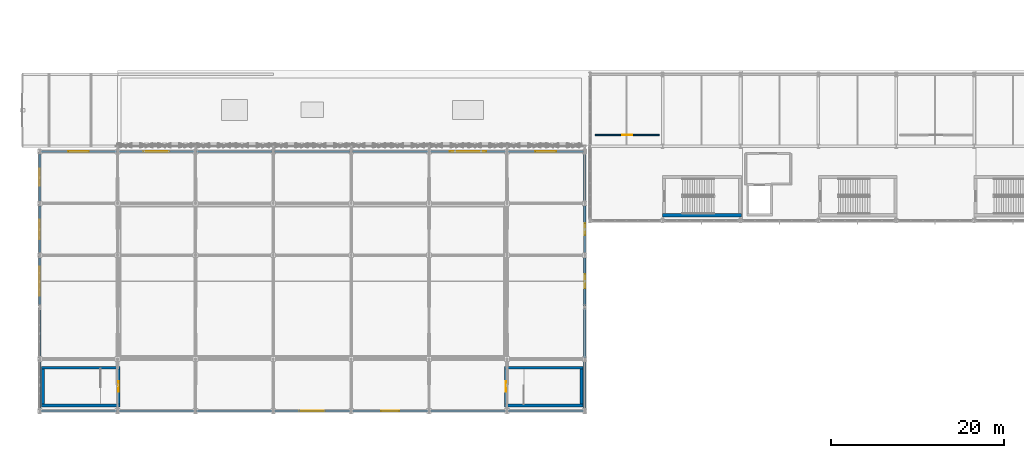
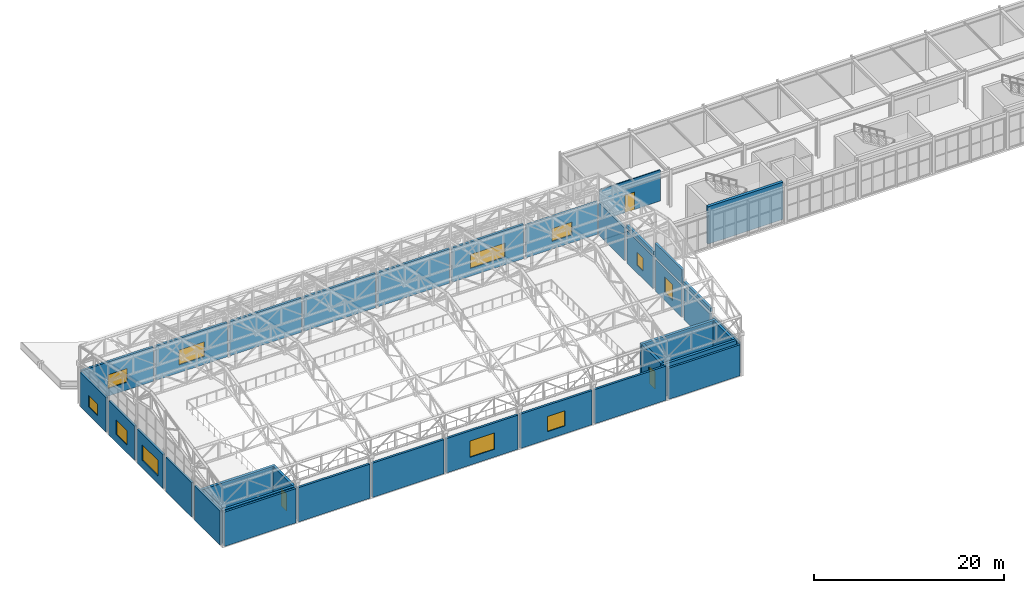
# One storey, part 94 of 112: 37 walls, 11 windows, 3 doors, 14 openings.
"""IFC4 building model written with IfcOpenShell, lengths in metres."""

from ifc_helpers import new_model, si_unit, direction, frame, frame_2d, origin, place, context, subcontext, project, spatial, rectangle, extrude, material, layer, layer_set, type_object, element, fill, save


model = new_model("IFC4")

# Units and contexts
model_context = context("Model", 3, precision=1e-05, world=origin(), true_north=direction((0.0, 1.0)))
body_context = subcontext(model_context, "Body", "Model", "MODEL_VIEW")
ifc_project = project(units=[si_unit("LENGTHUNIT", "METRE"), si_unit("AREAUNIT", "SQUARE_METRE"), si_unit("VOLUMEUNIT", "CUBIC_METRE"), si_unit("PLANEANGLEUNIT", "RADIAN"), si_unit("MASSUNIT", "GRAM", prefix="KILO")], contexts=[model_context])

# Site, building, storey
site_placement = place(None, origin())
site = spatial("IfcSite", under=ifc_project, at=site_placement, CompositionType="ELEMENT")
building_placement = place(site_placement, origin())
building = spatial("IfcBuilding", under=site, at=building_placement, Name="Kaldris Quays Convention Centre", CompositionType="ELEMENT")
storey_placement = place(building_placement, frame((0.0, 0.0, 16.800048828125)))
storey = spatial("IfcBuildingStorey", under=building, at=storey_placement, Name="L03", CompositionType="ELEMENT", Elevation=16.800048828125)

# Wall
ifc_material_1 = material(Name="Precast concrete C40/50", Category="concrete")
ifc_layer_1 = layer(ifc_material_1, 0.263916015625)
ifc_layer_set_1 = layer_set([ifc_layer_1], Name="Precast concrete C40/50")
wall_type_1 = type_object("IfcWallType", Name="EXTERIOR WALL EW04", PredefinedType="STANDARD", material=ifc_layer_set_1)
wall_1_placement = place(storey_placement, frame((20.14599609375, 16.0, 0.0), z_axis=(0.0, 0.0, 1.0), x_axis=(1.0, 0.0, 0.0)))
element("IfcWall", 1, at=wall_1_placement, inside=storey, type_object=wall_type_1, Name="L03 Exterior Wall EW04 190", PredefinedType="STANDARD", context=body_context, shape_type="SweptSolid", body=[
    extrude(rectangle(XDim=8.7080078125, YDim=0.263916015625, at=frame_2d((4.35400390625, 0.0))), origin(), (0.0, 0.0, 1.0), 4.39990234375),
])

# Wall, opening, window
wall_2_placement = place(storey_placement, frame((20.14599609375, 46.0, 0.0), z_axis=(0.0, 0.0, 1.0), x_axis=(1.0, 0.0, 0.0)))
wall_2 = element("IfcWall", 2, at=wall_2_placement, inside=storey, type_object=wall_type_1, Name="L03 Exterior Wall EW04 191", PredefinedType="STANDARD", context=body_context, shape_type="SweptSolid", body=[
    extrude(rectangle(XDim=8.7080078125, YDim=0.263916015625, at=frame_2d((4.35400390625, 0.0))), origin(), (0.0, 0.0, 1.0), 4.39990234375),
])
opening_1_placement = place(wall_2_placement, frame((3.178955078125, 0.0, 1.0)))
opening_1 = element("IfcOpeningElement", 3, at=opening_1_placement, cuts=wall_2, Name="Opening WN31", PredefinedType="OPENING", context=body_context, shape_type="SweptSolid", body=[
    extrude(rectangle(XDim=2.35009765625, YDim=1.75, at=frame_2d((1.175048828125, 0.875))), frame((0.0, 0.14208984375, 0.0), z_axis=(0.0, -1.0, 0.0), x_axis=(1.0, 0.0, 0.0)), (0.0, 0.0, 1.0), 0.283935546875),
])
ifc_material_2 = material(Name="Triple low-E insulated glazing", Category="glass")
window_type_1 = type_object("IfcWindowType", Name="TRIPLE GLAZED WINDOW WN31", PartitioningType="SINGLE_PANEL", PredefinedType="WINDOW", material=ifc_material_2)
window_1_placement = place(opening_1_placement, origin())
window_1 = element("IfcWindow", 4, at=window_1_placement, inside=storey, type_object=window_type_1, Name="L03 Exterior Window WN31 71", OverallHeight=1.75, OverallWidth=2.35009765625, PartitioningType="SINGLE_PANEL", PredefinedType="WINDOW", context=body_context, shape_type="SweptSolid", body=[
    extrude(rectangle(XDim=2.35009765625, YDim=1.75, at=frame_2d((1.175048828125, 0.875))), frame((0.0, 0.030029296875, 0.0), z_axis=(0.0, -1.0, 0.0), x_axis=(1.0, 0.0, 0.0)), (0.0, 0.0, 1.0), 0.06005859375),
])
fill(opening_1, window_1)

# Wall
wall_3_placement = place(storey_placement, frame((29.14599609375, 16.0, 0.0), z_axis=(0.0, 0.0, 1.0), x_axis=(1.0, 0.0, 0.0)))
element("IfcWall", 5, at=wall_3_placement, inside=storey, type_object=wall_type_1, Name="L03 Exterior Wall EW04 192", PredefinedType="STANDARD", context=body_context, shape_type="SweptSolid", body=[
    extrude(rectangle(XDim=8.7080078125, YDim=0.263916015625, at=frame_2d((4.35400390625, 0.0))), origin(), (0.0, 0.0, 1.0), 4.39990234375),
])

# Wall, opening, window
wall_4_placement = place(storey_placement, frame((29.14599609375, 46.0, 0.0), z_axis=(0.0, 0.0, 1.0), x_axis=(1.0, 0.0, 0.0)))
wall_4 = element("IfcWall", 6, at=wall_4_placement, inside=storey, type_object=wall_type_1, Name="L03 Exterior Wall EW04 193", PredefinedType="STANDARD", context=body_context, shape_type="SweptSolid", body=[
    extrude(rectangle(XDim=8.7080078125, YDim=0.263916015625, at=frame_2d((4.35400390625, 0.0))), origin(), (0.0, 0.0, 1.0), 4.39990234375),
])
opening_2_placement = place(wall_4_placement, frame((2.803955078125, 0.0, 1.0)))
opening_2 = element("IfcOpeningElement", 7, at=opening_2_placement, cuts=wall_4, Name="Opening WN33", PredefinedType="OPENING", context=body_context, shape_type="SweptSolid", body=[
    extrude(rectangle(XDim=3.10009765625, YDim=1.89990234375, at=frame_2d((1.550048828125, 0.949951171875))), frame((0.0, 0.14208984375, 0.0), z_axis=(0.0, -1.0, 0.0), x_axis=(1.0, 0.0, 0.0)), (0.0, 0.0, 1.0), 0.283935546875),
])
window_type_2 = type_object("IfcWindowType", Name="TRIPLE GLAZED WINDOW WN33", PartitioningType="SINGLE_PANEL", PredefinedType="WINDOW", material=ifc_material_2)
window_2_placement = place(opening_2_placement, origin())
window_2 = element("IfcWindow", 8, at=window_2_placement, inside=storey, type_object=window_type_2, Name="L03 Exterior Window WN33 72", OverallHeight=1.89990234375, OverallWidth=3.10009765625, PartitioningType="SINGLE_PANEL", PredefinedType="WINDOW", context=body_context, shape_type="SweptSolid", body=[
    extrude(rectangle(XDim=3.10009765625, YDim=1.89990234375, at=frame_2d((1.550048828125, 0.949951171875))), frame((0.0, 0.030029296875, 0.0), z_axis=(0.0, -1.0, 0.0), x_axis=(1.0, 0.0, 0.0)), (0.0, 0.0, 1.0), 0.06005859375),
])
fill(opening_2, window_2)

# Walls
for number, where, z_axis, x_axis, name in (
    (9, (38.14599609375, 16.0, 0.0), (0.0, 0.0, 1.0), (1.0, 0.0, 0.0), "L03 Exterior Wall EW04 194"),
    (10, (38.14599609375, 46.0, 0.0), (0.0, 0.0, 1.0), (1.0, 0.0, 0.0), "L03 Exterior Wall EW04 195"),
):
    element("IfcWall", number, at=place(storey_placement, frame(where, z_axis=z_axis, x_axis=x_axis)), inside=storey, type_object=wall_type_1, Name=name, PredefinedType="STANDARD", context=body_context, shape_type="SweptSolid", body=[
        extrude(rectangle(XDim=8.7080078125, YDim=0.263916015625, at=frame_2d((4.35400390625, 0.0))), origin(), (0.0, 0.0, 1.0), 4.39990234375),
    ])

# Wall, opening, window
wall_5_placement = place(storey_placement, frame((47.14599609375, 16.0, 0.0), z_axis=(0.0, 0.0, 1.0), x_axis=(1.0, 0.0, 0.0)))
wall_5 = element("IfcWall", 11, at=wall_5_placement, inside=storey, type_object=wall_type_1, Name="L03 Exterior Wall EW04 196", PredefinedType="STANDARD", context=body_context, shape_type="SweptSolid", body=[
    extrude(rectangle(XDim=8.7080078125, YDim=0.263916015625, at=frame_2d((4.35400390625, 0.0))), origin(), (0.0, 0.0, 1.0), 4.39990234375),
])
opening_3_placement = place(wall_5_placement, frame((2.85400390625, 0.0, 1.0)))
opening_3 = element("IfcOpeningElement", 12, at=opening_3_placement, cuts=wall_5, Name="Opening WN02", PredefinedType="OPENING", context=body_context, shape_type="SweptSolid", body=[
    extrude(rectangle(XDim=3.0, YDim=2.10009765625, at=frame_2d((1.5, 1.050048828125))), frame((0.0, 0.14208984375, 0.0), z_axis=(0.0, -1.0, 0.0), x_axis=(1.0, 0.0, 0.0)), (0.0, 0.0, 1.0), 0.283935546875),
])
window_type_3 = type_object("IfcWindowType", Name="TRIPLE GLAZED WINDOW WN02", PartitioningType="SINGLE_PANEL", PredefinedType="WINDOW", material=ifc_material_2)
window_3_placement = place(opening_3_placement, origin())
window_3 = element("IfcWindow", 13, at=window_3_placement, inside=storey, type_object=window_type_3, Name="L03 Exterior Window WN02 73", OverallHeight=2.10009765625, OverallWidth=3.0, PartitioningType="SINGLE_PANEL", PredefinedType="WINDOW", context=body_context, shape_type="SweptSolid", body=[
    extrude(rectangle(XDim=3.0, YDim=2.10009765625, at=frame_2d((1.5, 1.050048828125))), frame((0.0, 0.030029296875, 0.0), z_axis=(0.0, -1.0, 0.0), x_axis=(1.0, 0.0, 0.0)), (0.0, 0.0, 1.0), 0.06005859375),
])
fill(opening_3, window_3)

# Wall
wall_6_placement = place(storey_placement, frame((47.14599609375, 46.0, 0.0), z_axis=(0.0, 0.0, 1.0), x_axis=(1.0, 0.0, 0.0)))
element("IfcWall", 14, at=wall_6_placement, inside=storey, type_object=wall_type_1, Name="L03 Exterior Wall EW04 197", PredefinedType="STANDARD", context=body_context, shape_type="SweptSolid", body=[
    extrude(rectangle(XDim=8.7080078125, YDim=0.263916015625, at=frame_2d((4.35400390625, 0.0))), origin(), (0.0, 0.0, 1.0), 4.39990234375),
])

# Wall, opening, window
wall_7_placement = place(storey_placement, frame((56.14599609375, 16.0, 0.0), z_axis=(0.0, 0.0, 1.0), x_axis=(1.0, 0.0, 0.0)))
wall_7 = element("IfcWall", 15, at=wall_7_placement, inside=storey, type_object=wall_type_1, Name="L03 Exterior Wall EW04 198", PredefinedType="STANDARD", context=body_context, shape_type="SweptSolid", body=[
    extrude(rectangle(XDim=8.7080078125, YDim=0.263916015625, at=frame_2d((4.35400390625, 0.0))), origin(), (0.0, 0.0, 1.0), 4.39990234375),
])
opening_4_placement = place(wall_7_placement, frame((3.303955078125, 0.0, 1.0)))
opening_4 = element("IfcOpeningElement", 16, at=opening_4_placement, cuts=wall_7, Name="Opening WN04", PredefinedType="OPENING", context=body_context, shape_type="SweptSolid", body=[
    extrude(rectangle(XDim=2.10009765625, YDim=1.949951171875, at=frame_2d((1.050048828125, 0.97509765625))), frame((0.0, 0.14208984375, 0.0), z_axis=(0.0, -1.0, 0.0), x_axis=(1.0, 0.0, 0.0)), (0.0, 0.0, 1.0), 0.283935546875),
])
window_type_4 = type_object("IfcWindowType", Name="TRIPLE GLAZED WINDOW WN04", PartitioningType="SINGLE_PANEL", PredefinedType="WINDOW", material=ifc_material_2)
window_4_placement = place(opening_4_placement, origin())
window_4 = element("IfcWindow", 17, at=window_4_placement, inside=storey, type_object=window_type_4, Name="L03 Exterior Window WN04 74", OverallHeight=1.949951171875, OverallWidth=2.10009765625, PartitioningType="SINGLE_PANEL", PredefinedType="WINDOW", context=body_context, shape_type="SweptSolid", body=[
    extrude(rectangle(XDim=2.10009765625, YDim=1.949951171875, at=frame_2d((1.050048828125, 0.97509765625))), frame((0.0, 0.030029296875, 0.0), z_axis=(0.0, -1.0, 0.0), x_axis=(1.0, 0.0, 0.0)), (0.0, 0.0, 1.0), 0.06005859375),
])
fill(opening_4, window_4)

# Walls
for number, where, z_axis, x_axis, name in (
    (18, (56.14599609375, 46.0, 0.0), (0.0, 0.0, 1.0), (1.0, 0.0, 0.0), "L03 Exterior Wall EW04 199"),
    (19, (65.14599609375, 16.0, 0.0), (0.0, 0.0, 1.0), (1.0, 0.0, 0.0), "L03 Exterior Wall EW04 200"),
):
    element("IfcWall", number, at=place(storey_placement, frame(where, z_axis=z_axis, x_axis=x_axis)), inside=storey, type_object=wall_type_1, Name=name, PredefinedType="STANDARD", context=body_context, shape_type="SweptSolid", body=[
        extrude(rectangle(XDim=8.7080078125, YDim=0.263916015625, at=frame_2d((4.35400390625, 0.0))), origin(), (0.0, 0.0, 1.0), 4.39990234375),
    ])

# Wall, opening, window
wall_8_placement = place(storey_placement, frame((65.14599609375, 46.0, 0.0), z_axis=(0.0, 0.0, 1.0), x_axis=(1.0, 0.0, 0.0)))
wall_8 = element("IfcWall", 20, at=wall_8_placement, inside=storey, type_object=wall_type_1, Name="L03 Exterior Wall EW04 201", PredefinedType="STANDARD", context=body_context, shape_type="SweptSolid", body=[
    extrude(rectangle(XDim=8.7080078125, YDim=0.263916015625, at=frame_2d((4.35400390625, 0.0))), origin(), (0.0, 0.0, 1.0), 4.39990234375),
])
opening_5_placement = place(wall_8_placement, frame((2.25390625, 0.0, 1.0)))
opening_5 = element("IfcOpeningElement", 21, at=opening_5_placement, cuts=wall_8, Name="Opening WN07", PredefinedType="OPENING", context=body_context, shape_type="SweptSolid", body=[
    extrude(rectangle(XDim=4.199951171875, YDim=1.800048828125, at=frame_2d((2.10009765625, 0.89990234375))), frame((0.0, 0.14208984375, 0.0), z_axis=(0.0, -1.0, 0.0), x_axis=(1.0, 0.0, 0.0)), (0.0, 0.0, 1.0), 0.283935546875),
])
window_type_5 = type_object("IfcWindowType", Name="TRIPLE GLAZED WINDOW WN07", PartitioningType="SINGLE_PANEL", PredefinedType="WINDOW", material=ifc_material_2)
window_5_placement = place(opening_5_placement, origin())
window_5 = element("IfcWindow", 22, at=window_5_placement, inside=storey, type_object=window_type_5, Name="L03 Exterior Window WN07 75", OverallHeight=1.800048828125, OverallWidth=4.199951171875, PartitioningType="SINGLE_PANEL", PredefinedType="WINDOW", context=body_context, shape_type="SweptSolid", body=[
    extrude(rectangle(XDim=4.199951171875, YDim=1.800048828125, at=frame_2d((2.10009765625, 0.89990234375))), frame((0.0, 0.030029296875, 0.0), z_axis=(0.0, -1.0, 0.0), x_axis=(1.0, 0.0, 0.0)), (0.0, 0.0, 1.0), 0.06005859375),
])
fill(opening_5, window_5)

# Wall
wall_9_placement = place(storey_placement, frame((74.14599609375, 16.0, 0.0), z_axis=(0.0, 0.0, 1.0), x_axis=(1.0, 0.0, 0.0)))
element("IfcWall", 23, at=wall_9_placement, inside=storey, type_object=wall_type_1, Name="L03 Exterior Wall EW04 202", PredefinedType="STANDARD", context=body_context, shape_type="SweptSolid", body=[
    extrude(rectangle(XDim=8.7080078125, YDim=0.263916015625, at=frame_2d((4.35400390625, 0.0))), origin(), (0.0, 0.0, 1.0), 3.98486328125),
])

# Wall, opening, window
wall_10_placement = place(storey_placement, frame((74.14599609375, 46.0, 0.0), z_axis=(0.0, 0.0, 1.0), x_axis=(1.0, 0.0, 0.0)))
wall_10 = element("IfcWall", 24, at=wall_10_placement, inside=storey, type_object=wall_type_1, Name="L03 Exterior Wall EW04 203", PredefinedType="STANDARD", context=body_context, shape_type="SweptSolid", body=[
    extrude(rectangle(XDim=8.7080078125, YDim=0.263916015625, at=frame_2d((4.35400390625, 0.0))), origin(), (0.0, 0.0, 1.0), 4.155029296875),
])
opening_6_placement = place(wall_10_placement, frame((3.154052734375, 0.0, 1.0)))
opening_6 = element("IfcOpeningElement", 25, at=opening_6_placement, cuts=wall_10, Name="Opening WN09", PredefinedType="OPENING", context=body_context, shape_type="SweptSolid", body=[
    extrude(rectangle(XDim=2.39990234375, YDim=1.64990234375, at=frame_2d((1.199951171875, 0.824951171875))), frame((0.0, 0.14208984375, 0.0), z_axis=(0.0, -1.0, 0.0), x_axis=(1.0, 0.0, 0.0)), (0.0, 0.0, 1.0), 0.283935546875),
])
window_type_6 = type_object("IfcWindowType", Name="TRIPLE GLAZED WINDOW WN09", PartitioningType="SINGLE_PANEL", PredefinedType="WINDOW", material=ifc_material_2)
window_6_placement = place(opening_6_placement, origin())
window_6 = element("IfcWindow", 26, at=window_6_placement, inside=storey, type_object=window_type_6, Name="L03 Exterior Window WN09 76", OverallHeight=1.64990234375, OverallWidth=2.39990234375, PartitioningType="SINGLE_PANEL", PredefinedType="WINDOW", context=body_context, shape_type="SweptSolid", body=[
    extrude(rectangle(XDim=2.39990234375, YDim=1.64990234375, at=frame_2d((1.199951171875, 0.824951171875))), frame((0.0, 0.030029296875, 0.0), z_axis=(0.0, -1.0, 0.0), x_axis=(1.0, 0.0, 0.0)), (0.0, 0.0, 1.0), 0.06005859375),
])
fill(opening_6, window_6)

# Walls
wall_11_placement = place(storey_placement, frame((20.0, 16.2958984375, 0.0), z_axis=(0.0, 0.0, 1.0), x_axis=(0.0, 1.0, 0.0)))
element("IfcWall", 27, at=wall_11_placement, inside=storey, type_object=wall_type_1, Name="L03 Exterior Wall EW04 204", PredefinedType="STANDARD", context=body_context, shape_type="SweptSolid", body=[
    extrude(rectangle(XDim=5.408203125, YDim=0.263916015625, at=frame_2d((2.7041015625, 0.0))), origin(), (0.0, 0.0, 1.0), 4.39990234375),
])
wall_12_placement = place(storey_placement, frame((83.0, 16.2958984375, 0.0), z_axis=(0.0, 0.0, 1.0), x_axis=(0.0, 1.0, 0.0)))
element("IfcWall", 28, at=wall_12_placement, inside=storey, type_object=wall_type_1, Name="L03 Exterior Wall EW04 205", PredefinedType="STANDARD", context=body_context, shape_type="SweptSolid", body=[
    extrude(rectangle(XDim=5.408203125, YDim=0.263916015625, at=frame_2d((2.7041015625, 0.0))), origin(), (0.0, 0.0, 1.0), 3.98486328125),
])
wall_13_placement = place(storey_placement, frame((20.0, 22.2958984375, 0.0), z_axis=(0.0, 0.0, 1.0), x_axis=(0.0, 1.0, 0.0)))
element("IfcWall", 29, at=wall_13_placement, inside=storey, type_object=wall_type_1, Name="L03 Exterior Wall EW04 206", PredefinedType="STANDARD", context=body_context, shape_type="SweptSolid", body=[
    extrude(rectangle(XDim=5.408203125, YDim=0.263916015625, at=frame_2d((2.7041015625, 0.0))), origin(), (0.0, 0.0, 1.0), 4.39990234375),
])
wall_14_placement = place(storey_placement, frame((83.0, 22.2958984375, 0.0), z_axis=(0.0, 0.0, 1.0), x_axis=(0.0, 1.0, 0.0)))
element("IfcWall", 30, at=wall_14_placement, inside=storey, type_object=wall_type_1, Name="L03 Exterior Wall EW04 207", PredefinedType="STANDARD", context=body_context, shape_type="SweptSolid", body=[
    extrude(rectangle(XDim=5.408203125, YDim=0.263916015625, at=frame_2d((2.7041015625, 0.0))), origin(), (0.0, 0.0, 1.0), 4.02490234375),
])

# Wall, opening, window
wall_15_placement = place(storey_placement, frame((20.0, 28.2958984375, 0.0), z_axis=(0.0, 0.0, 1.0), x_axis=(0.0, 1.0, 0.0)))
wall_15 = element("IfcWall", 31, at=wall_15_placement, inside=storey, type_object=wall_type_1, Name="L03 Exterior Wall EW04 208", PredefinedType="STANDARD", context=body_context, shape_type="SweptSolid", body=[
    extrude(rectangle(XDim=5.408203125, YDim=0.263916015625, at=frame_2d((2.7041015625, 0.0))), origin(), (0.0, 0.0, 1.0), 4.39990234375),
])
opening_7_placement = place(wall_15_placement, frame((1.00390625, 0.0, 1.0)))
opening_7 = element("IfcOpeningElement", 32, at=opening_7_placement, cuts=wall_15, Name="Opening WN14", PredefinedType="OPENING", context=body_context, shape_type="SweptSolid", body=[
    extrude(rectangle(XDim=3.39990234375, YDim=2.0, at=frame_2d((1.699951171875, 1.0))), frame((0.0, 0.14208984375, 0.0), z_axis=(0.0, -1.0, 0.0), x_axis=(1.0, 0.0, 0.0)), (0.0, 0.0, 1.0), 0.283935546875),
])
window_type_7 = type_object("IfcWindowType", Name="TRIPLE GLAZED WINDOW WN14", PartitioningType="SINGLE_PANEL", PredefinedType="WINDOW", material=ifc_material_2)
window_7_placement = place(opening_7_placement, origin())
window_7 = element("IfcWindow", 33, at=window_7_placement, inside=storey, type_object=window_type_7, Name="L03 Exterior Window WN14 77", OverallHeight=2.0, OverallWidth=3.39990234375, PartitioningType="SINGLE_PANEL", PredefinedType="WINDOW", context=body_context, shape_type="SweptSolid", body=[
    extrude(rectangle(XDim=3.39990234375, YDim=2.0, at=frame_2d((1.699951171875, 1.0))), frame((0.0, 0.030029296875, 0.0), z_axis=(0.0, -1.0, 0.0), x_axis=(1.0, 0.0, 0.0)), (0.0, 0.0, 1.0), 0.06005859375),
])
fill(opening_7, window_7)

wall_16_placement = place(storey_placement, frame((83.0, 28.2958984375, 0.0), z_axis=(0.0, 0.0, 1.0), x_axis=(0.0, 1.0, 0.0)))
wall_16 = element("IfcWall", 34, at=wall_16_placement, inside=storey, type_object=wall_type_1, Name="L03 Exterior Wall EW04 209", PredefinedType="STANDARD", context=body_context, shape_type="SweptSolid", body=[
    extrude(rectangle(XDim=5.408203125, YDim=0.263916015625, at=frame_2d((2.7041015625, 0.0))), origin(), (0.0, 0.0, 1.0), 4.10498046875),
])
opening_8_placement = place(wall_16_placement, frame((1.87890625, 0.0, 1.0)))
opening_8 = element("IfcOpeningElement", 35, at=opening_8_placement, cuts=wall_16, Name="Opening WN15", PredefinedType="OPENING", context=body_context, shape_type="SweptSolid", body=[
    extrude(rectangle(XDim=1.64990234375, YDim=2.0, at=frame_2d((0.824951171875, 1.0))), frame((0.0, 0.14208984375, 0.0), z_axis=(0.0, -1.0, 0.0), x_axis=(1.0, 0.0, 0.0)), (0.0, 0.0, 1.0), 0.283935546875),
])
window_type_8 = type_object("IfcWindowType", Name="TRIPLE GLAZED WINDOW WN15", PartitioningType="SINGLE_PANEL", PredefinedType="WINDOW", material=ifc_material_2)
window_8_placement = place(opening_8_placement, origin())
window_8 = element("IfcWindow", 36, at=window_8_placement, inside=storey, type_object=window_type_8, Name="L03 Exterior Window WN15 78", OverallHeight=2.0, OverallWidth=1.64990234375, PartitioningType="SINGLE_PANEL", PredefinedType="WINDOW", context=body_context, shape_type="SweptSolid", body=[
    extrude(rectangle(XDim=1.64990234375, YDim=2.0, at=frame_2d((0.824951171875, 1.0))), frame((0.0, 0.030029296875, 0.0), z_axis=(0.0, -1.0, 0.0), x_axis=(1.0, 0.0, 0.0)), (0.0, 0.0, 1.0), 0.06005859375),
])
fill(opening_8, window_8)

wall_17_placement = place(storey_placement, frame((20.0, 34.2958984375, 0.0), z_axis=(0.0, 0.0, 1.0), x_axis=(0.0, 1.0, 0.0)))
wall_17 = element("IfcWall", 37, at=wall_17_placement, inside=storey, type_object=wall_type_1, Name="L03 Exterior Wall EW04 210", PredefinedType="STANDARD", context=body_context, shape_type="SweptSolid", body=[
    extrude(rectangle(XDim=5.408203125, YDim=0.263916015625, at=frame_2d((2.7041015625, 0.0))), origin(), (0.0, 0.0, 1.0), 4.39990234375),
])
opening_9_placement = place(wall_17_placement, frame((1.5791015625, 0.0, 1.0)))
opening_9 = element("IfcOpeningElement", 38, at=opening_9_placement, cuts=wall_17, Name="Opening WN16", PredefinedType="OPENING", context=body_context, shape_type="SweptSolid", body=[
    extrude(rectangle(XDim=2.25, YDim=1.85009765625, at=frame_2d((1.125, 0.925048828125))), frame((0.0, 0.14208984375, 0.0), z_axis=(0.0, -1.0, 0.0), x_axis=(1.0, 0.0, 0.0)), (0.0, 0.0, 1.0), 0.283935546875),
])
window_type_9 = type_object("IfcWindowType", Name="TRIPLE GLAZED WINDOW WN16", PartitioningType="SINGLE_PANEL", PredefinedType="WINDOW", material=ifc_material_2)
window_9_placement = place(opening_9_placement, origin())
window_9 = element("IfcWindow", 39, at=window_9_placement, inside=storey, type_object=window_type_9, Name="L03 Exterior Window WN16 79", OverallHeight=1.85009765625, OverallWidth=2.25, PartitioningType="SINGLE_PANEL", PredefinedType="WINDOW", context=body_context, shape_type="SweptSolid", body=[
    extrude(rectangle(XDim=2.25, YDim=1.85009765625, at=frame_2d((1.125, 0.925048828125))), frame((0.0, 0.030029296875, 0.0), z_axis=(0.0, -1.0, 0.0), x_axis=(1.0, 0.0, 0.0)), (0.0, 0.0, 1.0), 0.06005859375),
])
fill(opening_9, window_9)

wall_18_placement = place(storey_placement, frame((83.0, 34.2958984375, 0.0), z_axis=(0.0, 0.0, 1.0), x_axis=(0.0, 1.0, 0.0)))
wall_18 = element("IfcWall", 40, at=wall_18_placement, inside=storey, type_object=wall_type_1, Name="L03 Exterior Wall EW04 211", PredefinedType="STANDARD", context=body_context, shape_type="SweptSolid", body=[
    extrude(rectangle(XDim=5.408203125, YDim=0.263916015625, at=frame_2d((2.7041015625, 0.0))), origin(), (0.0, 0.0, 1.0), 4.14501953125),
])
opening_10_placement = place(wall_18_placement, frame((2.029052734375, 0.0, 1.0)))
opening_10 = element("IfcOpeningElement", 41, at=opening_10_placement, cuts=wall_18, Name="Opening WN17", PredefinedType="OPENING", context=body_context, shape_type="SweptSolid", body=[
    extrude(rectangle(XDim=1.35009765625, YDim=1.64990234375, at=frame_2d((0.675048828125, 0.824951171875))), frame((0.0, 0.14208984375, 0.0), z_axis=(0.0, -1.0, 0.0), x_axis=(1.0, 0.0, 0.0)), (0.0, 0.0, 1.0), 0.283935546875),
])
window_type_10 = type_object("IfcWindowType", Name="TRIPLE GLAZED WINDOW WN17", PartitioningType="SINGLE_PANEL", PredefinedType="WINDOW", material=ifc_material_2)
window_10_placement = place(opening_10_placement, origin())
window_10 = element("IfcWindow", 42, at=window_10_placement, inside=storey, type_object=window_type_10, Name="L03 Exterior Window WN17 80", OverallHeight=1.64990234375, OverallWidth=1.35009765625, PartitioningType="SINGLE_PANEL", PredefinedType="WINDOW", context=body_context, shape_type="SweptSolid", body=[
    extrude(rectangle(XDim=1.35009765625, YDim=1.64990234375, at=frame_2d((0.675048828125, 0.824951171875))), frame((0.0, 0.030029296875, 0.0), z_axis=(0.0, -1.0, 0.0), x_axis=(1.0, 0.0, 0.0)), (0.0, 0.0, 1.0), 0.06005859375),
])
fill(opening_10, window_10)

wall_19_placement = place(storey_placement, frame((20.0, 40.2958984375, 0.0), z_axis=(0.0, 0.0, 1.0), x_axis=(0.0, 1.0, 0.0)))
wall_19 = element("IfcWall", 43, at=wall_19_placement, inside=storey, type_object=wall_type_1, Name="L03 Exterior Wall EW04 212", PredefinedType="STANDARD", context=body_context, shape_type="SweptSolid", body=[
    extrude(rectangle(XDim=5.408203125, YDim=0.263916015625, at=frame_2d((2.7041015625, 0.0))), origin(), (0.0, 0.0, 1.0), 4.39990234375),
])
opening_11_placement = place(wall_19_placement, frame((1.72900390625, 0.0, 1.0)))
opening_11 = element("IfcOpeningElement", 44, at=opening_11_placement, cuts=wall_19, Name="Opening WN18", PredefinedType="OPENING", context=body_context, shape_type="SweptSolid", body=[
    extrude(rectangle(XDim=1.949951171875, YDim=1.5, at=frame_2d((0.97509765625, 0.75))), frame((0.0, 0.14208984375, 0.0), z_axis=(0.0, -1.0, 0.0), x_axis=(1.0, 0.0, 0.0)), (0.0, 0.0, 1.0), 0.283935546875),
])
window_type_11 = type_object("IfcWindowType", Name="TRIPLE GLAZED WINDOW WN18", PartitioningType="SINGLE_PANEL", PredefinedType="WINDOW", material=ifc_material_2)
window_11_placement = place(opening_11_placement, origin())
window_11 = element("IfcWindow", 45, at=window_11_placement, inside=storey, type_object=window_type_11, Name="L03 Exterior Window WN18 81", OverallHeight=1.5, OverallWidth=1.949951171875, PartitioningType="SINGLE_PANEL", PredefinedType="WINDOW", context=body_context, shape_type="SweptSolid", body=[
    extrude(rectangle(XDim=1.949951171875, YDim=1.5, at=frame_2d((0.97509765625, 0.75))), frame((0.0, 0.030029296875, 0.0), z_axis=(0.0, -1.0, 0.0), x_axis=(1.0, 0.0, 0.0)), (0.0, 0.0, 1.0), 0.06005859375),
])
fill(opening_11, window_11)

# Walls
wall_20_placement = place(storey_placement, frame((83.0, 40.2958984375, 0.0), z_axis=(0.0, 0.0, 1.0), x_axis=(0.0, 1.0, 0.0)))
element("IfcWall", 46, at=wall_20_placement, inside=storey, type_object=wall_type_1, Name="L03 Exterior Wall EW04 213", PredefinedType="STANDARD", context=body_context, shape_type="SweptSolid", body=[
    extrude(rectangle(XDim=5.408203125, YDim=0.263916015625, at=frame_2d((2.7041015625, 0.0))), origin(), (0.0, 0.0, 1.0), 4.155029296875),
])
wall_21_placement = place(storey_placement, frame((83.0, 22.139892578125, 4.39501953125), z_axis=(0.0, 0.0, 1.0), x_axis=(0.0, 1.0, 0.0)))
element("IfcWall", 47, at=wall_21_placement, inside=storey, type_object=wall_type_1, Name="L03 V3 East Gable Tympanum Wall 2", PredefinedType="STANDARD", context=body_context, shape_type="SweptSolid", body=[
    extrude(rectangle(XDim=5.72021484375, YDim=0.263916015625, at=frame_2d((2.860107421875, 0.0))), origin(), (0.0, 0.0, 1.0), 0.474853515625),
])
wall_22_placement = place(storey_placement, frame((83.0, 28.139892578125, 4.39501953125), z_axis=(0.0, 0.0, 1.0), x_axis=(0.0, 1.0, 0.0)))
element("IfcWall", 48, at=wall_22_placement, inside=storey, type_object=wall_type_1, Name="L03 V3 East Gable Tympanum Wall 3", PredefinedType="STANDARD", context=body_context, shape_type="SweptSolid", body=[
    extrude(rectangle(XDim=5.72021484375, YDim=0.263916015625, at=frame_2d((2.860107421875, 0.0))), origin(), (0.0, 0.0, 1.0), 1.7548828125),
])
wall_23_placement = place(storey_placement, frame((83.0, 34.139892578125, 4.39501953125), z_axis=(0.0, 0.0, 1.0), x_axis=(0.0, 1.0, 0.0)))
element("IfcWall", 49, at=wall_23_placement, inside=storey, type_object=wall_type_1, Name="L03 V3 East Gable Tympanum Wall 4", PredefinedType="STANDARD", context=body_context, shape_type="SweptSolid", body=[
    extrude(rectangle(XDim=5.72021484375, YDim=0.263916015625, at=frame_2d((2.860107421875, 0.0))), origin(), (0.0, 0.0, 1.0), 0.474853515625),
])

# Wall, opening, door
ifc_material_3 = material(Name="Acoustic gypsum stud partition", Category="gypsum")
ifc_layer_2 = layer(ifc_material_3, 0.1201171875)
ifc_layer_set_2 = layer_set([ifc_layer_2], Name="Acoustic gypsum stud partition")
wall_type_2 = type_object("IfcWallType", Name="INTERIOR WALL IW06", PredefinedType="PARTITIONING", material=ifc_layer_set_2)
wall_24_placement = place(storey_placement, frame((84.199951171875, 47.89990234375, 0.0), z_axis=(0.0, 0.0, 1.0), x_axis=(1.0, 0.0, 0.0)))
wall_24 = element("IfcWall", 50, at=wall_24_placement, inside=storey, type_object=wall_type_2, Name="L03 Interior Wall IW06 106", PredefinedType="PARTITIONING", context=body_context, shape_type="SweptSolid", body=[
    extrude(rectangle(XDim=7.400146484375, YDim=0.1201171875, at=frame_2d((3.7001953125, 0.0))), origin(), (0.0, 0.0, 1.0), 4.0),
])
opening_12_placement = place(wall_24_placement, frame((3.110107421875, 0.0, 0.0)))
opening_12 = element("IfcOpeningElement", 51, at=opening_12_placement, cuts=wall_24, Name="Opening ID07", PredefinedType="OPENING", context=body_context, shape_type="SweptSolid", body=[
    extrude(rectangle(XDim=1.179931640625, YDim=2.25, at=frame_2d((0.58984375, 1.125))), frame((0.0, 0.070068359375, 0.0), z_axis=(0.0, -1.0, 0.0), x_axis=(1.0, 0.0, 0.0)), (0.0, 0.0, 1.0), 0.14013671875),
])
ifc_material_4 = material(Name="Timber acoustic leaf in steel frame", Category="steel")
door_type_1 = type_object("IfcDoorType", Name="INTERIOR DOOR ID07", OperationType="NOTDEFINED", PredefinedType="DOOR", material=ifc_material_4)
door_1_placement = place(opening_12_placement, origin())
door_1 = element("IfcDoor", 52, at=door_1_placement, inside=storey, type_object=door_type_1, Name="L03 Interior Door ID07 71", OperationType="SINGLE_SWING_RIGHT", OverallHeight=2.25, OverallWidth=1.179931640625, PredefinedType="DOOR", context=body_context, shape_type="SweptSolid", body=[
    extrude(rectangle(XDim=1.179931640625, YDim=2.25, at=frame_2d((0.58984375, 1.125))), frame((0.0, 0.02490234375, 0.0), z_axis=(0.0, -1.0, 0.0), x_axis=(1.0, 0.0, 0.0)), (0.0, 0.0, 1.0), 0.050048828125),
])
fill(opening_12, door_1)

# Walls
ifc_material_5 = material(Name="Concrete C40/50", Category="concrete")
ifc_layer_3 = layer(ifc_material_5, 0.35009765625)
ifc_layer_set_3 = layer_set([ifc_layer_3], Name="Concrete C40/50")
wall_type_3 = type_object("IfcWallType", Name="STRUCTURAL WALL SW01", PredefinedType="SHEAR", material=ifc_layer_set_3)
wall_25_placement = place(storey_placement, frame((92.0, 38.625, 0.0), z_axis=(0.0, 0.0, 1.0), x_axis=(1.0, 0.0, 0.0)))
element("IfcWall", 53, at=wall_25_placement, inside=storey, type_object=wall_type_3, Name="L03 Core Shear Wall CORE-ST11-L03-S", PredefinedType="SHEAR", context=body_context, shape_type="SweptSolid", body=[
    extrude(rectangle(XDim=9.10009765625, YDim=0.35009765625, at=frame_2d((4.550048828125, 0.0))), origin(), (0.0, 0.0, 1.0), 4.800048828125),
])
ifc_layer_4 = layer(ifc_material_5, 0.320068359375)
ifc_layer_set_4 = layer_set([ifc_layer_4], Name="Concrete C40/50")
wall_type_4 = type_object("IfcWallType", Name="STRUCTURAL WALL SW02", PredefinedType="SHEAR", material=ifc_layer_set_4)
for number, where, z_axis, x_axis, name in (
    (54, (20.22998046875, 16.639892578125, 0.0), (0.0, 0.0, 1.0), (1.0, 0.0, 0.0), "L03 Core Shear Wall CORE-ST05-L03-S"),
    (55, (20.22998046875, 21.010009765625, 0.0), (0.0, 0.0, 1.0), (1.0, 0.0, 0.0), "L03 Core Shear Wall CORE-ST05-L03-N"),
):
    element("IfcWall", number, at=place(storey_placement, frame(where, z_axis=z_axis, x_axis=x_axis)), inside=storey, type_object=wall_type_4, Name=name, PredefinedType="SHEAR", context=body_context, shape_type="SweptSolid", body=[
        extrude(rectangle(XDim=9.0400390625, YDim=0.320068359375, at=frame_2d((4.52001953125, 0.0))), origin(), (0.0, 0.0, 1.0), 4.199951171875),
    ])
wall_26_placement = place(storey_placement, frame((20.389892578125, 16.800048828125, 0.0), z_axis=(0.0, 0.0, 1.0), x_axis=(0.0, 1.0, 0.0)))
element("IfcWall", 56, at=wall_26_placement, inside=storey, type_object=wall_type_4, Name="L03 Core Shear Wall CORE-ST05-L03-W", PredefinedType="SHEAR", context=body_context, shape_type="SweptSolid", body=[
    extrude(rectangle(XDim=4.050048828125, YDim=0.320068359375, at=frame_2d((2.02490234375, 0.0))), origin(), (0.0, 0.0, 1.0), 4.199951171875),
])

# Wall, opening, door
wall_27_placement = place(storey_placement, frame((29.110107421875, 16.800048828125, 0.0), z_axis=(0.0, 0.0, 1.0), x_axis=(0.0, 1.0, 0.0)))
wall_27 = element("IfcWall", 57, at=wall_27_placement, inside=storey, type_object=wall_type_4, Name="L03 Core Shear Wall CORE-ST05-L03-E", PredefinedType="SHEAR", context=body_context, shape_type="SweptSolid", body=[
    extrude(rectangle(XDim=4.050048828125, YDim=0.320068359375, at=frame_2d((2.02490234375, 0.0))), origin(), (0.0, 0.0, 1.0), 4.199951171875),
])
opening_13_placement = place(wall_27_placement, frame((1.425048828125, 0.0, 0.0)))
opening_13 = element("IfcOpeningElement", 58, at=opening_13_placement, cuts=wall_27, Name="Opening ID03", PredefinedType="OPENING", context=body_context, shape_type="SweptSolid", body=[
    extrude(rectangle(XDim=1.199951171875, YDim=2.199951171875, at=frame_2d((0.60009765625, 1.10009765625))), frame((0.0, 0.169921875, 0.0), z_axis=(0.0, -1.0, 0.0), x_axis=(1.0, 0.0, 0.0)), (0.0, 0.0, 1.0), 0.340087890625),
])
ifc_material_6 = material(Name="Steel S355J2 fire-resisting door", Category="steel")
door_type_2 = type_object("IfcDoorType", Name="INTERIOR DOOR ID03", OperationType="NOTDEFINED", PredefinedType="DOOR", material=ifc_material_6)
door_2_placement = place(opening_13_placement, origin())
door_2 = element("IfcDoor", 59, at=door_2_placement, inside=storey, type_object=door_type_2, Name="L03 Escape Stair ST05 Fire Door", OperationType="SINGLE_SWING_LEFT", OverallHeight=2.199951171875, OverallWidth=1.199951171875, PredefinedType="DOOR", context=body_context, shape_type="SweptSolid", body=[
    extrude(rectangle(XDim=1.199951171875, YDim=2.199951171875, at=frame_2d((0.60009765625, 1.10009765625))), frame((0.0, 0.02490234375, 0.0), z_axis=(0.0, -1.0, 0.0), x_axis=(1.0, 0.0, 0.0)), (0.0, 0.0, 1.0), 0.050048828125),
])
fill(opening_13, door_2)

# Walls
for number, where, z_axis, x_axis, name in (
    (60, (73.72998046875, 16.639892578125, 0.0), (0.0, 0.0, 1.0), (1.0, 0.0, 0.0), "L03 Core Shear Wall CORE-ST06-L03-S"),
    (61, (73.72998046875, 21.010009765625, 0.0), (0.0, 0.0, 1.0), (1.0, 0.0, 0.0), "L03 Core Shear Wall CORE-ST06-L03-N"),
):
    element("IfcWall", number, at=place(storey_placement, frame(where, z_axis=z_axis, x_axis=x_axis)), inside=storey, type_object=wall_type_4, Name=name, PredefinedType="SHEAR", context=body_context, shape_type="SweptSolid", body=[
        extrude(rectangle(XDim=9.0400390625, YDim=0.320068359375, at=frame_2d((4.52001953125, 0.0))), origin(), (0.0, 0.0, 1.0), 4.199951171875),
    ])

# Wall, opening, door
wall_28_placement = place(storey_placement, frame((73.889892578125, 16.800048828125, 0.0), z_axis=(0.0, 0.0, 1.0), x_axis=(0.0, 1.0, 0.0)))
wall_28 = element("IfcWall", 62, at=wall_28_placement, inside=storey, type_object=wall_type_4, Name="L03 Core Shear Wall CORE-ST06-L03-W", PredefinedType="SHEAR", context=body_context, shape_type="SweptSolid", body=[
    extrude(rectangle(XDim=4.050048828125, YDim=0.320068359375, at=frame_2d((2.02490234375, 0.0))), origin(), (0.0, 0.0, 1.0), 4.199951171875),
])
opening_14_placement = place(wall_28_placement, frame((1.425048828125, 0.0, 0.0)))
opening_14 = element("IfcOpeningElement", 63, at=opening_14_placement, cuts=wall_28, Name="Opening ID03", PredefinedType="OPENING", context=body_context, shape_type="SweptSolid", body=[
    extrude(rectangle(XDim=1.199951171875, YDim=2.199951171875, at=frame_2d((0.60009765625, 1.10009765625))), frame((0.0, 0.169921875, 0.0), z_axis=(0.0, -1.0, 0.0), x_axis=(1.0, 0.0, 0.0)), (0.0, 0.0, 1.0), 0.340087890625),
])
door_3_placement = place(opening_14_placement, frame((1.199951171875, 0.0, 0.0), z_axis=(0.0, 0.0, 1.0), x_axis=(-1.0, 0.0, 0.0)))
door_3 = element("IfcDoor", 64, at=door_3_placement, inside=storey, type_object=door_type_2, Name="L03 Escape Stair ST06 Fire Door", OperationType="SINGLE_SWING_RIGHT", OverallHeight=2.199951171875, OverallWidth=1.199951171875, PredefinedType="DOOR", context=body_context, shape_type="SweptSolid", body=[
    extrude(rectangle(XDim=1.199951171875, YDim=2.199951171875, at=frame_2d((0.60009765625, 1.10009765625))), frame((0.0, 0.02490234375, 0.0), z_axis=(0.0, -1.0, 0.0), x_axis=(1.0, 0.0, 0.0)), (0.0, 0.0, 1.0), 0.050048828125),
])
fill(opening_14, door_3)

# Wall
wall_29_placement = place(storey_placement, frame((82.610107421875, 16.800048828125, 0.0), z_axis=(0.0, 0.0, 1.0), x_axis=(0.0, 1.0, 0.0)))
element("IfcWall", 65, at=wall_29_placement, inside=storey, type_object=wall_type_4, Name="L03 Core Shear Wall CORE-ST06-L03-E", PredefinedType="SHEAR", context=body_context, shape_type="SweptSolid", body=[
    extrude(rectangle(XDim=4.050048828125, YDim=0.320068359375, at=frame_2d((2.02490234375, 0.0))), origin(), (0.0, 0.0, 1.0), 4.199951171875),
])

save(model, "model.ifc")
